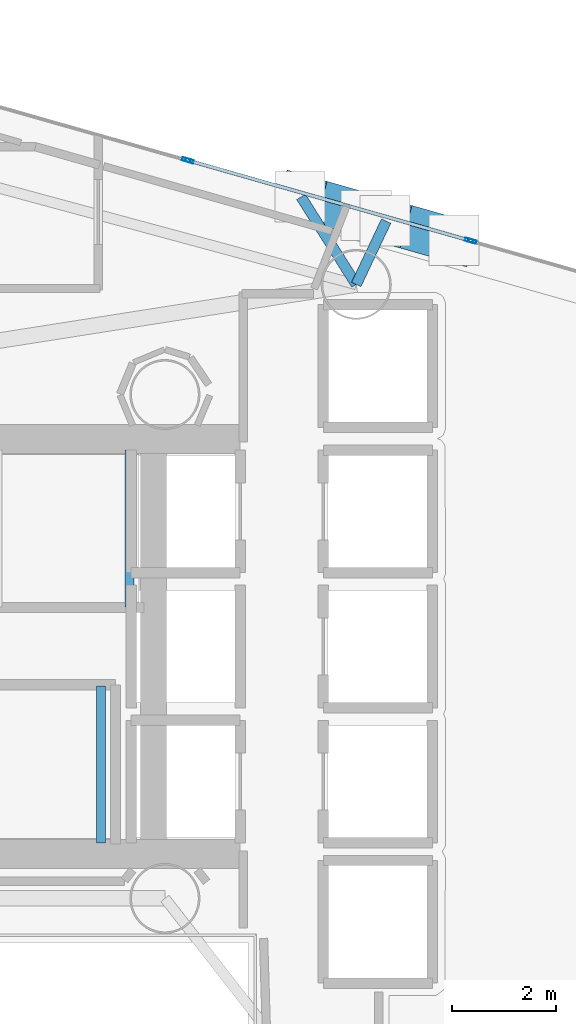
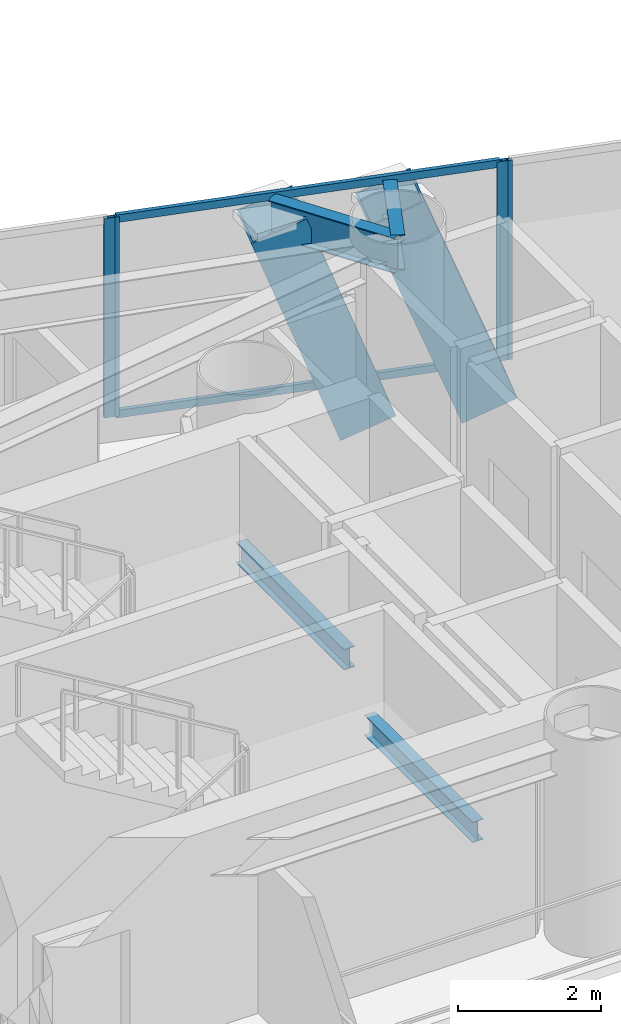
# One storey, part 13 of 22: 8 members, 4 beams, 3 elements without a shape of their own.
"""IFC4 building model written with IfcOpenShell, lengths in metres."""

from ifc_helpers import new_model, si_unit, direction, frame, origin, origin_2d, place, context, subcontext, project, spatial, hollow_rectangle, i_section, extrude, material, layer, layer_set, material_profile, profile_set, type_object, element, aggregate, save


model = new_model("IFC4")

# Units and contexts
model_context = context("Model", 3, precision=1e-05, world=origin(), true_north=direction((0.0, 1.0)))
body_context = subcontext(model_context, "Body", "Model", "MODEL_VIEW")
ifc_project = project(units=[si_unit("LENGTHUNIT", "METRE"), si_unit("AREAUNIT", "SQUARE_METRE"), si_unit("VOLUMEUNIT", "CUBIC_METRE"), si_unit("PLANEANGLEUNIT", "RADIAN"), si_unit("MASSUNIT", "GRAM", prefix="KILO")], contexts=[model_context])

# Site, building, storey
site_placement = place(None, origin())
site = spatial("IfcSite", under=ifc_project, at=site_placement, CompositionType="ELEMENT")
building_placement = place(site_placement, origin())
building = spatial("IfcBuilding", under=site, at=building_placement, Name="Qianvela Tower", CompositionType="ELEMENT")
storey_placement = place(building_placement, frame((0.0, 0.0, 180.89990234375)))
storey = spatial("IfcBuildingStorey", under=building, at=storey_placement, Name="L46", CompositionType="ELEMENT", Elevation=180.89990234375)

# Beams
ifc_material_1 = material(Name="Steel Q355B", Category="steel")
ifc_material_profile_1 = material_profile(ifc_material_1, i_section(OverallWidth=0.175048828125, OverallDepth=0.35009765625, WebThickness=0.007080078125, FlangeThickness=0.010986328125, at=origin_2d()), Name="HN350x175x7x11")
ifc_profile_set_1 = profile_set([ifc_material_profile_1], Name="Steel Q355B")
beam_type_1 = type_object("IfcBeamType", Name="BM-HN350-JOIST", PredefinedType="JOIST", material=ifc_profile_set_1)
for number, where, z_axis, x_axis, name in (
    (1, (37.719970703125, 29.4599609375, 1.47509765625), (0.0, 1.0, 0.0), (-1.0, 0.0, 0.0), "L46 Stair ST-1 Landing Support Beam 1.2"),
    (2, (37.169921875, 24.919921875, 1.47509765625), (0.0, 1.0, 0.0), (-1.0, 0.0, 0.0), "L46 Stair ST-2 Landing Support Beam 1.2"),
):
    element("IfcBeam", number, at=place(storey_placement, frame(where, z_axis=z_axis, x_axis=x_axis)), inside=storey, type_object=beam_type_1, Name=name, PredefinedType="JOIST", context=body_context, shape_type="SweptSolid", body=[
        extrude(i_section(OverallWidth=0.175048828125, OverallDepth=0.35009765625, WebThickness=0.007080078125, FlangeThickness=0.010986328125, at=origin_2d()), origin(), (0.0, 0.0, 1.0), 3.02001953125),
    ])
ifc_material_2 = material(Name="Steel Q355B", Category="steel")
ifc_material_profile_2 = material_profile(ifc_material_2, i_section(OverallWidth=0.199951171875, OverallDepth=0.60009765625, WebThickness=0.010986328125, FlangeThickness=0.01708984375, at=origin_2d()), Name="HN600x200x11x17")
ifc_profile_set_2 = profile_set([ifc_material_profile_2], Name="Steel Q355B")
beam_type_2 = type_object("IfcBeamType", Name="BM-HN600-GIRD", PredefinedType="BEAM", material=ifc_profile_set_2)
beam_1_placement = place(storey_placement, frame((42.0830078125, 35.6689453125, 3.09814453125), z_axis=(0.426624258133, 0.904428959273, 0.0), x_axis=(-0.904428959273, 0.426624258133, 0.0)))
element("IfcBeam", 3, at=beam_1_placement, inside=storey, type_object=beam_type_2, Name="L46 Mega-Brace Column Tie Bracket F1-1", PredefinedType="BEAM", context=body_context, shape_type="SweptSolid", body=[
    extrude(i_section(OverallWidth=0.199951171875, OverallDepth=0.60009765625, WebThickness=0.010986328125, FlangeThickness=0.01708984375, at=origin_2d()), origin(), (0.0, 0.0, 1.0), 1.349853515625),
])
beam_2_placement = place(storey_placement, frame((42.0830078125, 35.6689453125, 3.09814453125), z_axis=(-0.532803523905, 0.846238976244, 0.0), x_axis=(-0.846238976244, -0.532803523905, 0.0)))
element("IfcBeam", 4, at=beam_2_placement, inside=storey, type_object=beam_type_2, Name="L46 Mega-Brace Column Tie Bracket F1-2", PredefinedType="BEAM", context=body_context, shape_type="SweptSolid", body=[
    extrude(i_section(OverallWidth=0.199951171875, OverallDepth=0.60009765625, WebThickness=0.010986328125, FlangeThickness=0.01708984375, at=origin_2d()), origin(), (0.0, 0.0, 1.0), 1.9931640625),
])

# Curtain wall, members
ifc_material_3 = material(Name="Anodised Architectural Aluminium and Insulated Spandrel Panel", Category="aluminium")
ifc_layer_1 = layer(ifc_material_3, 0.179931640625)
ifc_layer_set_1 = layer_set([ifc_layer_1], Name="Anodised Architectural Aluminium and Insulated Spandrel Panel")
curtain_wall_type_1 = type_object("IfcCurtainWallType", Name="CW-BRACEBAY", PredefinedType="USERDEFINED", material=ifc_layer_set_1)
curtain_wall_1_placement = place(storey_placement, origin())
curtain_wall_1 = element("IfcCurtainWall", 5, at=curtain_wall_1_placement, inside=storey, type_object=curtain_wall_type_1, Name="L46 CW-BRACEBAY Curtain Wall 02B", ObjectType="CURTAIN_WALL_SYSTEM", PredefinedType="USERDEFINED")
ifc_material_4 = material(Name="Anodised Architectural Aluminium 6063-T6", Category="aluminium")
ifc_material_profile_3 = material_profile(ifc_material_4, hollow_rectangle(XDim=0.06494140625, YDim=0.159912109375, WallThickness=0.0048828125, at=origin_2d()), Name="ALU-MULL-65x160")
ifc_profile_set_3 = profile_set([ifc_material_profile_3], Name="Anodised Architectural Aluminium 6063-T6")
member_type_1 = type_object("IfcMemberType", Name="CW-BRACEBAY-MULL", PredefinedType="MULLION", material=ifc_profile_set_3)
member_1_placement = place(storey_placement, frame((44.254150390625, 36.519287109375, 0.0), z_axis=(0.0, 0.0, 1.0), x_axis=(-0.273514504068, -0.961867878695, 0.0)))
member_1 = element("IfcMember", 6, at=member_1_placement, type_object=member_type_1, Name="CW-9 mullion 1", PredefinedType="MULLION", context=body_context, shape_type="SweptSolid", body=[
    extrude(hollow_rectangle(XDim=0.06494140625, YDim=0.159912109375, WallThickness=0.0048828125, at=origin_2d()), origin(), (0.0, 0.0, 1.0), 3.400146484375),
])
member_2_placement = place(storey_placement, frame((38.87255859375, 38.0498046875, 0.0), z_axis=(0.0, 0.0, 1.0), x_axis=(-0.273514504068, -0.961867878695, 0.0)))
member_2 = element("IfcMember", 7, at=member_2_placement, type_object=member_type_1, Name="CW-9 mullion 2", PredefinedType="MULLION", context=body_context, shape_type="SweptSolid", body=[
    extrude(hollow_rectangle(XDim=0.06494140625, YDim=0.159912109375, WallThickness=0.0048828125, at=origin_2d()), origin(), (0.0, 0.0, 1.0), 3.400146484375),
])
ifc_material_5 = material(Name="Anodised Architectural Aluminium 6063-T6", Category="aluminium")
ifc_material_profile_4 = material_profile(ifc_material_5, hollow_rectangle(XDim=0.06494140625, YDim=0.1298828125, WallThickness=0.00439453125, at=origin_2d()), Name="ALU-TRAN-65x130")
ifc_profile_set_4 = profile_set([ifc_material_profile_4], Name="Anodised Architectural Aluminium 6063-T6")
member_type_2 = type_object("IfcMemberType", Name="CW-BRACEBAY-TRAN", PredefinedType="USERDEFINED", material=ifc_profile_set_4)
member_3_placement = place(storey_placement, frame((44.222900390625, 36.5283203125, 0.03271484375), z_axis=(-0.961871368293, 0.273502231908, 0.0), x_axis=(-0.273502231908, -0.961871368293, 0.0)))
member_3 = element("IfcMember", 8, at=member_3_placement, type_object=member_type_2, Name="CW-9 transom 1.1", ObjectType="TRANSOM", PredefinedType="USERDEFINED", context=body_context, shape_type="SweptSolid", body=[
    extrude(hollow_rectangle(XDim=0.06494140625, YDim=0.1298828125, WallThickness=0.00439453125, at=origin_2d()), origin(), (0.0, 0.0, 1.0), 5.530029296875),
])
member_4_placement = place(storey_placement, frame((44.222900390625, 36.5283203125, 3.36767578125), z_axis=(-0.961871368293, 0.273502231908, 0.0), x_axis=(-0.273502231908, -0.961871368293, 0.0)))
member_4 = element("IfcMember", 9, at=member_4_placement, type_object=member_type_2, Name="CW-9 transom 1.2", ObjectType="TRANSOM", PredefinedType="USERDEFINED", context=body_context, shape_type="SweptSolid", body=[
    extrude(hollow_rectangle(XDim=0.06494140625, YDim=0.1298828125, WallThickness=0.00439453125, at=origin_2d()), origin(), (0.0, 0.0, 1.0), 5.530029296875),
])
aggregate(curtain_wall_1, [member_1, member_2, member_3, member_4])

# Curtain wall, member
ifc_material_6 = material(Name="Anodised Architectural Aluminium and Low-E Glass", Category="aluminium")
ifc_layer_2 = layer(ifc_material_6, 0.169921875)
ifc_layer_set_2 = layer_set([ifc_layer_2], Name="Anodised Architectural Aluminium and Low-E Glass")
curtain_wall_type_2 = type_object("IfcCurtainWallType", Name="CW-COLIV-Z34", PredefinedType="USERDEFINED", material=ifc_layer_set_2)
curtain_wall_2_placement = place(storey_placement, origin())
curtain_wall_2 = element("IfcCurtainWall", 10, at=curtain_wall_2_placement, inside=storey, type_object=curtain_wall_type_2, Name="L46 CW-COLIV-Z34 Curtain Wall 02A", ObjectType="CURTAIN_WALL_SYSTEM", PredefinedType="USERDEFINED")
ifc_material_7 = material(Name="Anodised Architectural Aluminium 6063-T6", Category="aluminium")
ifc_material_profile_5 = material_profile(ifc_material_7, hollow_rectangle(XDim=0.06494140625, YDim=0.159912109375, WallThickness=0.0048828125, at=origin_2d()), Name="ALU-MULL-65x160")
ifc_profile_set_5 = profile_set([ifc_material_profile_5], Name="Anodised Architectural Aluminium 6063-T6")
member_type_3 = type_object("IfcMemberType", Name="CW-COLIV-Z34-MULL", PredefinedType="MULLION", material=ifc_profile_set_5)
member_5_placement = place(storey_placement, frame((44.316650390625, 36.501708984375, 0.0), z_axis=(0.0, 0.0, 1.0), x_axis=(-0.273504561082, -0.961870706003, 0.0)))
member_5 = element("IfcMember", 11, at=member_5_placement, type_object=member_type_3, Name="CW-4 mullion 3", PredefinedType="MULLION", context=body_context, shape_type="SweptSolid", body=[
    extrude(hollow_rectangle(XDim=0.06494140625, YDim=0.159912109375, WallThickness=0.0048828125, at=origin_2d()), origin(), (0.0, 0.0, 1.0), 3.400146484375),
])
aggregate(curtain_wall_2, [member_5])

curtain_wall_3_placement = place(storey_placement, origin())
curtain_wall_3 = element("IfcCurtainWall", 12, at=curtain_wall_3_placement, inside=storey, type_object=curtain_wall_type_2, Name="L46 CW-COLIV-Z34 Curtain Wall 02C", ObjectType="CURTAIN_WALL_SYSTEM", PredefinedType="USERDEFINED")
member_6_placement = place(storey_placement, frame((38.81005859375, 38.0673828125, 0.0), z_axis=(0.0, 0.0, 1.0), x_axis=(-0.273502418638, -0.961871315197, 0.0)))
member_6 = element("IfcMember", 13, at=member_6_placement, type_object=member_type_3, Name="CW-4 mullion 1", PredefinedType="MULLION", context=body_context, shape_type="SweptSolid", body=[
    extrude(hollow_rectangle(XDim=0.06494140625, YDim=0.159912109375, WallThickness=0.0048828125, at=origin_2d()), origin(), (0.0, 0.0, 1.0), 3.400146484375),
])
aggregate(curtain_wall_3, [member_6])

# Members
ifc_material_8 = material(Name="Steel Q420GJC", Category="steel")
ifc_material_profile_6 = material_profile(ifc_material_8, hollow_rectangle(XDim=0.85009765625, YDim=0.85009765625, WallThickness=0.031982421875, at=origin_2d()), Name="MBOX-850x850x32")
ifc_profile_set_6 = profile_set([ifc_material_profile_6], Name="Steel Q420GJC")
member_type_4 = type_object("IfcMemberType", Name="MBR-MBRACE-850", PredefinedType="BRACE", material=ifc_profile_set_6)
member_7_placement = place(storey_placement, frame((43.94287109375, 36.52490234375, -0.48193359375), z_axis=(-0.336036622275, 0.095526668626, 0.936992019214), x_axis=(-0.273440560656, -0.961888901999, 0.0)))
element("IfcMember", 14, at=member_7_placement, inside=storey, type_object=member_type_4, Name="L46 Tier 7 Exterior Mega-Brace F1A", PredefinedType="BRACE", context=body_context, shape_type="SweptSolid", body=[
    extrude(hollow_rectangle(XDim=0.85009765625, YDim=0.85009765625, WallThickness=0.031982421875, at=origin_2d()), origin(), (0.0, 0.0, 1.0), 3.82080078125),
])
member_8_placement = place(storey_placement, frame((42.25732421875, 37.00390625, -0.48193359375), z_axis=(-0.325020662372, 0.092487119763, 0.941173576823), x_axis=(-0.273692469317, -0.961817255116, 0.0)))
element("IfcMember", 15, at=member_8_placement, inside=storey, type_object=member_type_4, Name="L46 Tier 7 Exterior Mega-Brace F1B", PredefinedType="BRACE", context=body_context, shape_type="SweptSolid", body=[
    extrude(hollow_rectangle(XDim=0.85009765625, YDim=0.85009765625, WallThickness=0.031982421875, at=origin_2d()), origin(), (0.0, 0.0, 1.0), 3.803955078125),
])

save(model, "model.ifc")
